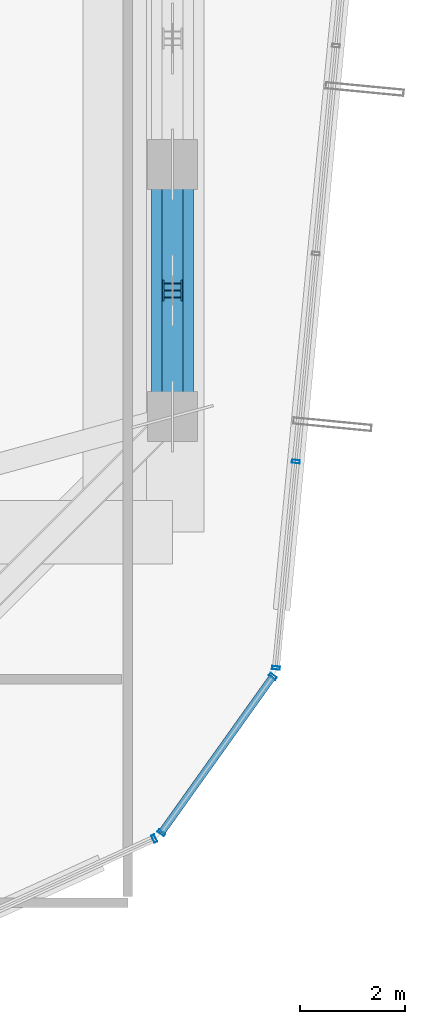
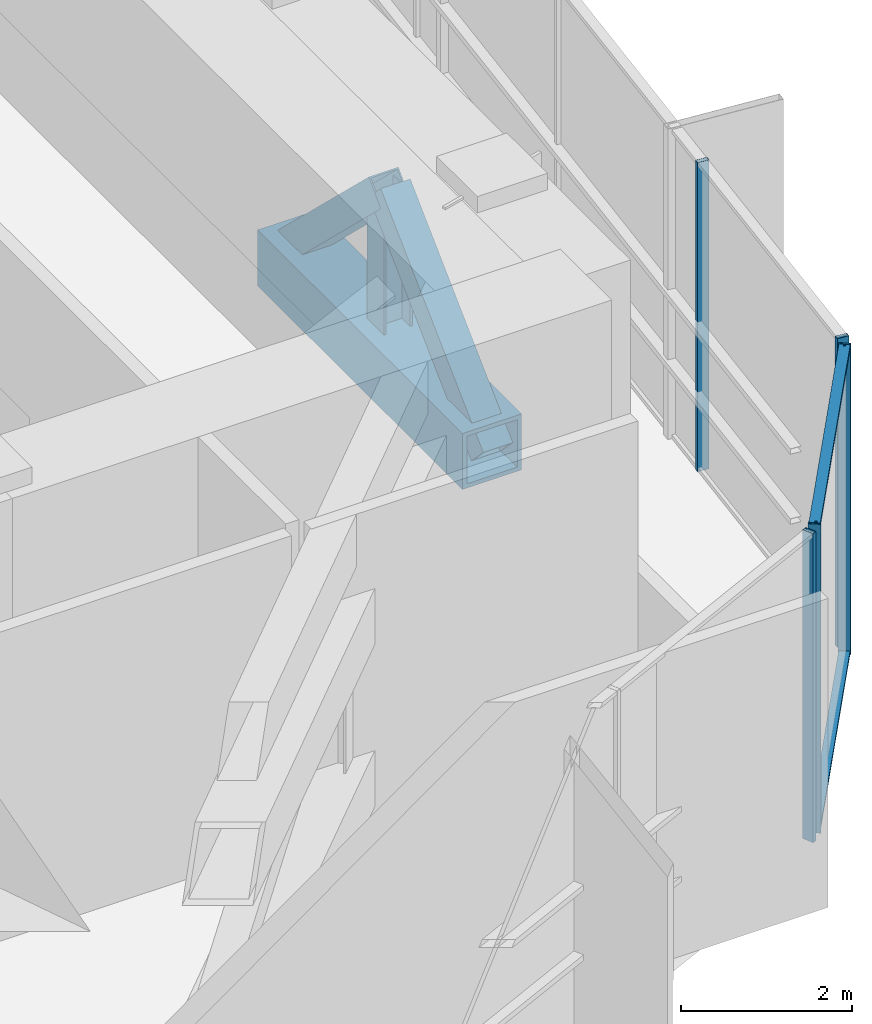
# One storey, part 16 of 31: 11 members, 3 elements without a shape of their own.
"""IFC4 building model written with IfcOpenShell, lengths in metres."""

from ifc_helpers import new_model, si_unit, direction, frame, origin, origin_2d, place, context, subcontext, project, spatial, hollow_rectangle, i_section, extrude, source, transform, mapped, material, layer, layer_set, material_profile, profile_set, type_object, element, aggregate, save


model = new_model("IFC4")

# Units and contexts
model_context = context("Model", 3, precision=1e-05, world=origin(), true_north=direction((0.0, 1.0)))
body_context = subcontext(model_context, "Body", "Model", "MODEL_VIEW")
ifc_project = project(units=[si_unit("LENGTHUNIT", "METRE"), si_unit("AREAUNIT", "SQUARE_METRE"), si_unit("VOLUMEUNIT", "CUBIC_METRE"), si_unit("PLANEANGLEUNIT", "RADIAN"), si_unit("MASSUNIT", "GRAM", prefix="KILO")], contexts=[model_context])

# Site, building, storey
site_placement = place(None, origin())
site = spatial("IfcSite", under=ifc_project, at=site_placement, CompositionType="ELEMENT")
building_placement = place(site_placement, origin())
building = spatial("IfcBuilding", under=site, at=building_placement, Name="Veraguas Prism Commons", CompositionType="ELEMENT")
storey_placement = place(building_placement, frame((0.0, 0.0, 225.39990234375)))
storey = spatial("IfcBuildingStorey", under=building, at=storey_placement, Name="L64", CompositionType="ELEMENT", Elevation=225.39990234375)

# Members
ifc_material_1 = material(Name="Steel ASTM A913 Grade 65", Category="steel")
ifc_material_profile_1 = material_profile(ifc_material_1, hollow_rectangle(XDim=0.800048828125, YDim=0.800048828125, WallThickness=0.06005859375, at=origin_2d()), Name="BOX800X800X60")
ifc_profile_set_1 = profile_set([ifc_material_profile_1], Name="Steel ASTM A913 Grade 65")
member_type_1 = type_object("IfcMemberType", Name="Belt Truss Chord L64 Box 800x800x60", PredefinedType="CHORD", material=ifc_profile_set_1)
member_1_placement = place(storey_placement, frame((38.89990234375, 19.199951171875, 0.550048828125), z_axis=(0.0, 1.0, 0.0), x_axis=(-1.0, 0.0, 0.0)))
element("IfcMember", 1, at=member_1_placement, inside=storey, type_object=member_type_1, Name="Perimeter Belt Truss Chord Bottom L64-01", PredefinedType="CHORD", context=body_context, shape_type="SweptSolid", body=[
    extrude(hollow_rectangle(XDim=0.800048828125, YDim=0.800048828125, WallThickness=0.06005859375, at=origin_2d()), origin(), (0.0, 0.0, 1.0), 4.800048828125),
])
ifc_material_2 = material(Name="Steel ASTM A992 Grade 50", Category="steel")
ifc_material_profile_2 = material_profile(ifc_material_2, i_section(OverallWidth=0.39794921875, OverallDepth=0.386962890625, WebThickness=0.01904296875, FlangeThickness=0.0302734375, at=origin_2d()), Name="W360X262")
ifc_profile_set_2 = profile_set([ifc_material_profile_2], Name="Steel ASTM A992 Grade 50")
member_type_2 = type_object("IfcMemberType", Name="Belt Truss Vertical Strut W360x262", PredefinedType="STRUT", material=ifc_profile_set_2)
member_2_placement = place(storey_placement, frame((38.89990234375, 21.60009765625, 0.550048828125), z_axis=(0.0, 0.0, 1.0), x_axis=(0.0, 1.0, 0.0)))
element("IfcMember", 2, at=member_2_placement, inside=storey, type_object=member_type_2, Name="Perimeter Belt Truss Strut L64-01", PredefinedType="STRUT", context=body_context, shape_type="SweptSolid", body=[
    extrude(i_section(OverallWidth=0.39794921875, OverallDepth=0.386962890625, WebThickness=0.01904296875, FlangeThickness=0.0302734375, at=origin_2d()), origin(), (0.0, 0.0, 1.0), 2.31494140625),
])
ifc_material_3 = material(Name="Steel ASTM A500 Grade C", Category="steel")
ifc_material_profile_3 = material_profile(ifc_material_3, hollow_rectangle(XDim=0.39990234375, YDim=0.39990234375, WallThickness=0.02001953125, at=origin_2d()), Name="HSS400X400X20")
ifc_profile_set_3 = profile_set([ifc_material_profile_3], Name="Steel ASTM A500 Grade C")
member_type_3 = type_object("IfcMemberType", Name="Wind Portal V-Brace HSS 400x400x20", PredefinedType="BRACE", material=ifc_profile_set_3)
member_3_placement = place(storey_placement, frame((38.89990234375, 19.199951171875, 0.550048828125), z_axis=(0.0, 0.719767205746, 0.694215506549), x_axis=(-1.0, 0.0, 0.0)))
element("IfcMember", 3, at=member_3_placement, inside=storey, type_object=member_type_3, Name="Perimeter Belt Truss Brace L64-01A", PredefinedType="BRACE", context=body_context, shape_type="SweptSolid", body=[
    extrude(hollow_rectangle(XDim=0.39990234375, YDim=0.39990234375, WallThickness=0.02001953125, at=origin_2d()), origin(), (0.0, 0.0, 1.0), 3.334716796875),
])
member_4_placement = place(storey_placement, frame((38.89990234375, 24.0, 0.550048828125), z_axis=(0.0, -0.719731918537, 0.694252090699), x_axis=(1.0, 0.0, 0.0)))
element("IfcMember", 4, at=member_4_placement, inside=storey, type_object=member_type_3, Name="Perimeter Belt Truss Brace L64-01B", PredefinedType="BRACE", context=body_context, shape_type="SweptSolid", body=[
    extrude(hollow_rectangle(XDim=0.39990234375, YDim=0.39990234375, WallThickness=0.02001953125, at=origin_2d()), origin(), (0.0, 0.0, 1.0), 3.33447265625),
])

# Curtain wall, members
ifc_material_4 = material(Name="Anodised aluminium EN AW-6063 T6", Category="aluminium")
ifc_layer = layer(ifc_material_4, 0.14990234375, Name="Unitised Flush Curtain Wall Zone 3", Category="aluminium")
ifc_layer_set = layer_set([ifc_layer], Name="Anodised aluminium EN AW-6063 T6")
curtain_wall_type = type_object("IfcCurtainWallType", Name="Unitised Flush Curtain Wall Zone 3", PredefinedType="NOTDEFINED", material=ifc_layer_set)
curtain_wall_1_placement = place(storey_placement, origin())
curtain_wall_1 = element("IfcCurtainWall", 5, at=curtain_wall_1_placement, inside=storey, type_object=curtain_wall_type, Name="Chamfer Curtain Wall L64-C6", PredefinedType="NOTDEFINED")
ifc_material_profile_4 = material_profile(ifc_material_4, hollow_rectangle(XDim=0.054931640625, YDim=0.135009765625, WallThickness=0.0029296875, at=origin_2d()), Name="AL55X135X3")
ifc_profile_set_4 = profile_set([ifc_material_profile_4], Name="Anodised aluminium EN AW-6063 T6")
member_type_4 = type_object("IfcMemberType", Name="Curtain Wall Transom Standard AL 55x135x3", PredefinedType="USERDEFINED", material=ifc_profile_set_4)
shared_shape_1 = source(origin(), body_context, "Body", "SweptSolid", [
    extrude(hollow_rectangle(XDim=0.054931640625, YDim=0.135009765625, WallThickness=0.0029296875, at=origin_2d()), origin(), (0.0, 0.0, 1.0), 3.654296875),
])
member_5_placement = place(storey_placement, frame((38.6865234375, 11.27978515625, 0.027587890625), z_axis=(0.580694572496, 0.81412149798, 0.0), x_axis=(0.0, 0.0, 1.0)))
member_5 = element("IfcMember", 6, at=member_5_placement, type_object=member_type_4, Name="CW-Z3 Transom 1", ObjectType="TRANSOM", PredefinedType="USERDEFINED", context=body_context, shape_type="MappedRepresentation", body=[
    mapped(shared_shape_1, transform((0.0, 0.0, 0.0), scale=1.0)),
])
member_6_placement = place(storey_placement, frame((38.6865234375, 11.27978515625, 4.3876953125), z_axis=(0.580694572496, 0.81412149798, 0.0), x_axis=(0.0, 0.0, 1.0)))
member_6 = element("IfcMember", 7, at=member_6_placement, type_object=member_type_4, Name="CW-Z3 Transom 2", ObjectType="TRANSOM", PredefinedType="USERDEFINED", context=body_context, shape_type="MappedRepresentation", body=[
    mapped(shared_shape_1, transform((0.0, 0.0, 0.0), scale=1.0)),
])

# Curtain wall, member
curtain_wall_2_placement = place(storey_placement, origin())
curtain_wall_2 = element("IfcCurtainWall", 8, at=curtain_wall_2_placement, inside=storey, type_object=curtain_wall_type, Name="Tower Facade Curtain Wall L64-F5", PredefinedType="NOTDEFINED")
ifc_material_profile_5 = material_profile(ifc_material_4, hollow_rectangle(XDim=0.06005859375, YDim=0.14990234375, WallThickness=0.0029296875, at=origin_2d()), Name="AL60X150X3")
ifc_profile_set_5 = profile_set([ifc_material_profile_5], Name="Anodised aluminium EN AW-6063 T6")
member_type_5 = type_object("IfcMemberType", Name="Curtain Wall Mullion Upper AL 60x150x3", PredefinedType="MULLION", material=ifc_profile_set_5)
shared_shape_2 = source(origin(), body_context, "Body", "SweptSolid", [
    extrude(hollow_rectangle(XDim=0.06005859375, YDim=0.14990234375, WallThickness=0.0029296875, at=origin_2d()), origin(), (0.0, 0.0, 1.0), 4.4150390625),
])
member_7_placement = place(storey_placement, frame((38.55224609375, 11.169189453125, 0.0), z_axis=(0.0, 0.0, 1.0), x_axis=(0.909961994651, 0.414691654474, 0.0)))
member_7 = element("IfcMember", 9, at=member_7_placement, type_object=member_type_5, Name="CW-Z3 Mullion 5", PredefinedType="MULLION", context=body_context, shape_type="MappedRepresentation", body=[
    mapped(shared_shape_2, transform((0.0, 0.0, 0.0), scale=1.0)),
])
aggregate(curtain_wall_2, [member_7])

# Curtain wall, members
curtain_wall_3_placement = place(storey_placement, origin())
curtain_wall_3 = element("IfcCurtainWall", 10, at=curtain_wall_3_placement, inside=storey, type_object=curtain_wall_type, Name="Tower Facade Curtain Wall L64-F6", PredefinedType="NOTDEFINED")
member_8_placement = place(storey_placement, frame((40.869384765625, 14.417724609375, 0.0), z_axis=(0.0, 0.0, 1.0), x_axis=(0.095840540637, 0.995396700201, 0.0)))
member_8 = element("IfcMember", 11, at=member_8_placement, type_object=member_type_5, Name="CW-Z3 Mullion 1", PredefinedType="MULLION", context=body_context, shape_type="MappedRepresentation", body=[
    mapped(shared_shape_2, transform((0.0, 0.0, 0.0), scale=1.0)),
])
member_9_placement = place(storey_placement, frame((41.24755859375, 18.34521484375, 0.0), z_axis=(0.0, 0.0, 1.0), x_axis=(0.095840540637, 0.995396700201, 0.0)))
member_9 = element("IfcMember", 12, at=member_9_placement, type_object=member_type_5, Name="CW-Z3 Mullion 2", PredefinedType="MULLION", context=body_context, shape_type="MappedRepresentation", body=[
    mapped(shared_shape_2, transform((0.0, 0.0, 0.0), scale=1.0)),
])
aggregate(curtain_wall_3, [member_8, member_9])

# Member
member_10_placement = place(storey_placement, frame((38.6865234375, 11.27978515625, 0.0), z_axis=(0.0, 0.0, 1.0), x_axis=(0.580702955711, 0.814115518356, 0.0)))
member_10 = element("IfcMember", 13, at=member_10_placement, type_object=member_type_5, Name="CW-Z3 Mullion 1", PredefinedType="MULLION", context=body_context, shape_type="MappedRepresentation", body=[
    mapped(shared_shape_2, transform((0.0, 0.0, 0.0), scale=1.0)),
])

member_11_placement = place(storey_placement, frame((40.80859375, 14.2548828125, 0.0), z_axis=(0.0, 0.0, 1.0), x_axis=(0.580702955711, 0.814115518356, 0.0)))
member_11 = element("IfcMember", 14, at=member_11_placement, type_object=member_type_5, Name="CW-Z3 Mullion 2", PredefinedType="MULLION", context=body_context, shape_type="MappedRepresentation", body=[
    mapped(shared_shape_2, transform((0.0, 0.0, 0.0), scale=1.0)),
])

aggregate(curtain_wall_1, [member_10, member_11, member_5, member_6])

save(model, "model.ifc")
